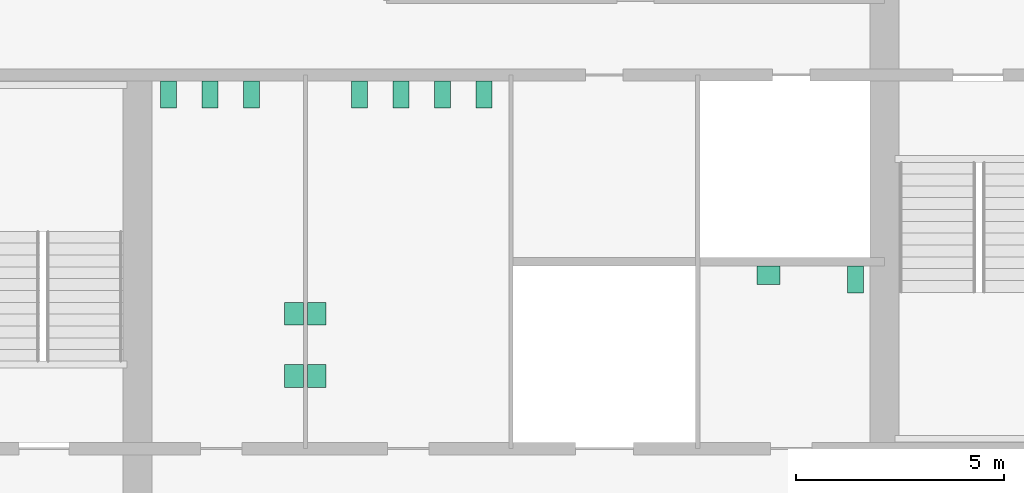
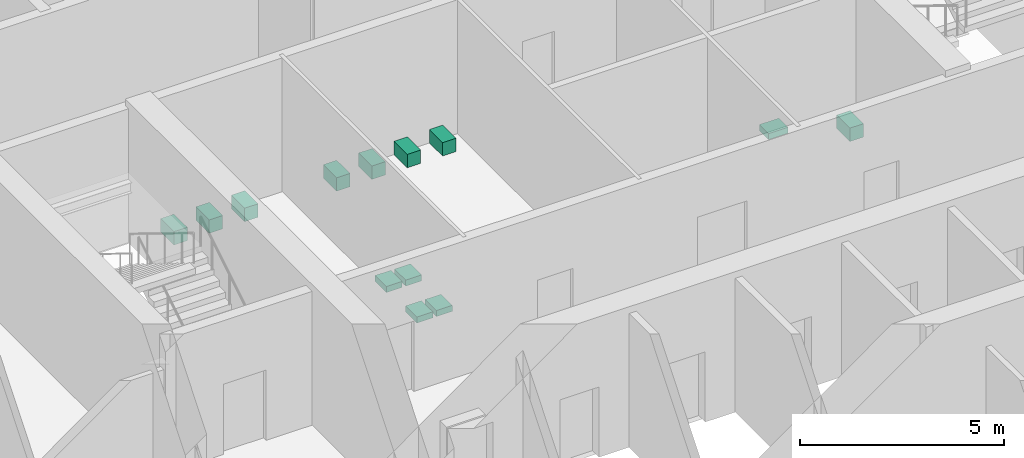
# One storey, part 12 of 12: 13 sanitary terminals.
"""IFC4 building model written with IfcOpenShell, lengths in metres."""

from ifc_helpers import new_model, si_unit, direction, frame, origin, origin_2d, place, context, subcontext, project, spatial, rectangle, extrude, material, type_object, element, save


model = new_model("IFC4")

# Units and contexts
model_context = context("Model", 3, precision=1e-05, world=origin(), true_north=direction((0.0, 1.0)))
body_context = subcontext(model_context, "Body", "Model", "MODEL_VIEW")
ifc_project = project(units=[si_unit("LENGTHUNIT", "METRE"), si_unit("AREAUNIT", "SQUARE_METRE"), si_unit("VOLUMEUNIT", "CUBIC_METRE"), si_unit("PLANEANGLEUNIT", "RADIAN"), si_unit("MASSUNIT", "GRAM", prefix="KILO")], contexts=[model_context])

# Site, building, storey
site_placement = place(None, origin())
site = spatial("IfcSite", under=ifc_project, at=site_placement, CompositionType="ELEMENT")
building_placement = place(site_placement, origin())
building = spatial("IfcBuilding", under=site, at=building_placement, Name="Corais Broadcast Tower", CompositionType="ELEMENT")
storey_placement = place(building_placement, frame((0.0, 0.0, 100.39990234375)))
storey = spatial("IfcBuildingStorey", under=building, at=storey_placement, Name="L22", CompositionType="ELEMENT", Elevation=100.39990234375)

# Sanitary terminals
ifc_material_1 = material(Name="Vitreous china", Category="ceramic")
sanitary_terminal_type_1 = type_object("IfcSanitaryTerminalType", Name="WC pan 380x650", PredefinedType="TOILETPAN", material=ifc_material_1)
for number, where, z_axis, x_axis, name in (
    (1, (18.75, 31.02490234375, 0.000244140625), (0.0, 0.0, 1.0), (1.0, 0.0, 0.0), "SW1 WC pan, male toilets L22"),
    (2, (19.75, 31.02490234375, 0.000244140625), (0.0, 0.0, 1.0), (1.0, 0.0, 0.0), "SW1 WC pan, male toilets L22"),
    (3, (20.75, 31.02490234375, 0.000244140625), (0.0, 0.0, 1.0), (1.0, 0.0, 0.0), "SW1 WC pan, male toilets L22"),
    (4, (23.35009765625, 31.02490234375, 0.000244140625), (0.0, 0.0, 1.0), (1.0, 0.0, 0.0), "SW1 WC pan, female toilets L22"),
    (5, (24.35009765625, 31.02490234375, 0.000244140625), (0.0, 0.0, 1.0), (1.0, 0.0, 0.0), "SW1 WC pan, female toilets L22"),
    (6, (25.35009765625, 31.02490234375, 0.000244140625), (0.0, 0.0, 1.0), (1.0, 0.0, 0.0), "SW1 WC pan, female toilets L22"),
    (7, (26.35009765625, 31.02490234375, 0.000244140625), (0.0, 0.0, 1.0), (1.0, 0.0, 0.0), "SW1 WC pan, female toilets L22"),
    (8, (35.300048828125, 26.574951171875, 0.000244140625), (0.0, 0.0, 1.0), (1.0, 0.0, 0.0), "SW1 WC pan, accessible WC L22"),
):
    element("IfcSanitaryTerminal", number, at=place(storey_placement, frame(where, z_axis=z_axis, x_axis=x_axis)), inside=storey, type_object=sanitary_terminal_type_1, Name=name, PredefinedType="TOILETPAN", context=body_context, shape_type="SweptSolid", body=[
        extrude(rectangle(XDim=0.3798828125, YDim=0.64990234375, at=origin_2d()), origin(), (0.0, 0.0, 1.0), 0.39990234375),
    ])
ifc_material_2 = material(Name="Vitreous china", Category="ceramic")
sanitary_terminal_type_2 = type_object("IfcSanitaryTerminalType", Name="Wash basin 550x450", PredefinedType="WASHHANDBASIN", material=ifc_material_2)
for number, where, z_axis, x_axis, name in (
    (9, (21.77490234375, 24.25, 0.7001953125), (0.0, 0.0, 1.0), (1.0, 0.0, 0.0), "WB1 wash basin, male toilets L22"),
    (10, (21.77490234375, 25.75, 0.7001953125), (0.0, 0.0, 1.0), (1.0, 0.0, 0.0), "WB1 wash basin, male toilets L22"),
    (11, (22.324951171875, 24.25, 0.7001953125), (0.0, 0.0, 1.0), (1.0, 0.0, 0.0), "WB1 wash basin, female toilets L22"),
    (12, (22.324951171875, 25.75, 0.7001953125), (0.0, 0.0, 1.0), (1.0, 0.0, 0.0), "WB1 wash basin, female toilets L22"),
):
    element("IfcSanitaryTerminal", number, at=place(storey_placement, frame(where, z_axis=z_axis, x_axis=x_axis)), inside=storey, type_object=sanitary_terminal_type_2, Name=name, PredefinedType="WASHHANDBASIN", context=body_context, shape_type="SweptSolid", body=[
        extrude(rectangle(XDim=0.449951171875, YDim=0.550048828125, at=origin_2d()), origin(), (0.0, 0.0, 1.0), 0.179931640625),
    ])
sanitary_terminal_placement = place(storey_placement, frame((33.199951171875, 26.675048828125, 0.7001953125), z_axis=(0.0, 0.0, 1.0), x_axis=(1.0, 0.0, 0.0)))
element("IfcSanitaryTerminal", 13, at=sanitary_terminal_placement, inside=storey, type_object=sanitary_terminal_type_2, Name="WB1 wash basin, accessible WC L22", PredefinedType="WASHHANDBASIN", context=body_context, shape_type="SweptSolid", body=[
    extrude(rectangle(XDim=0.550048828125, YDim=0.449951171875, at=origin_2d()), origin(), (0.0, 0.0, 1.0), 0.179931640625),
])

save(model, "model.ifc")
